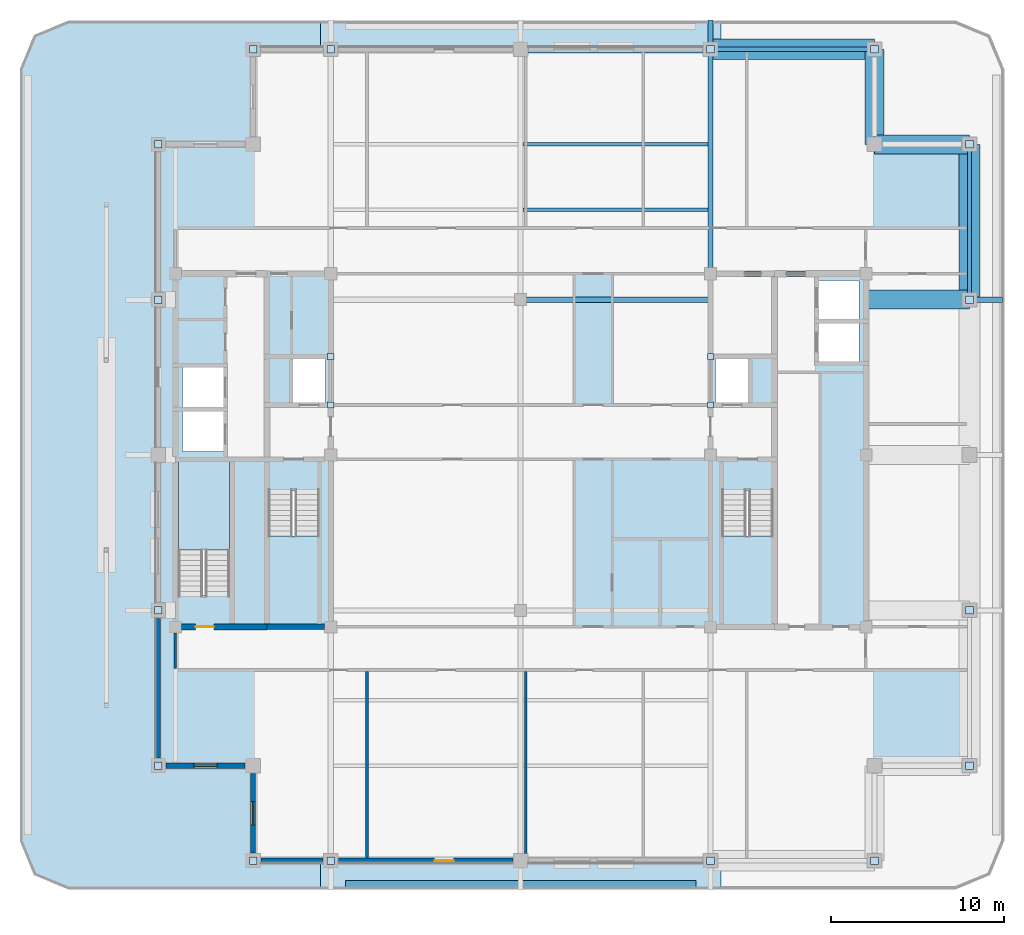
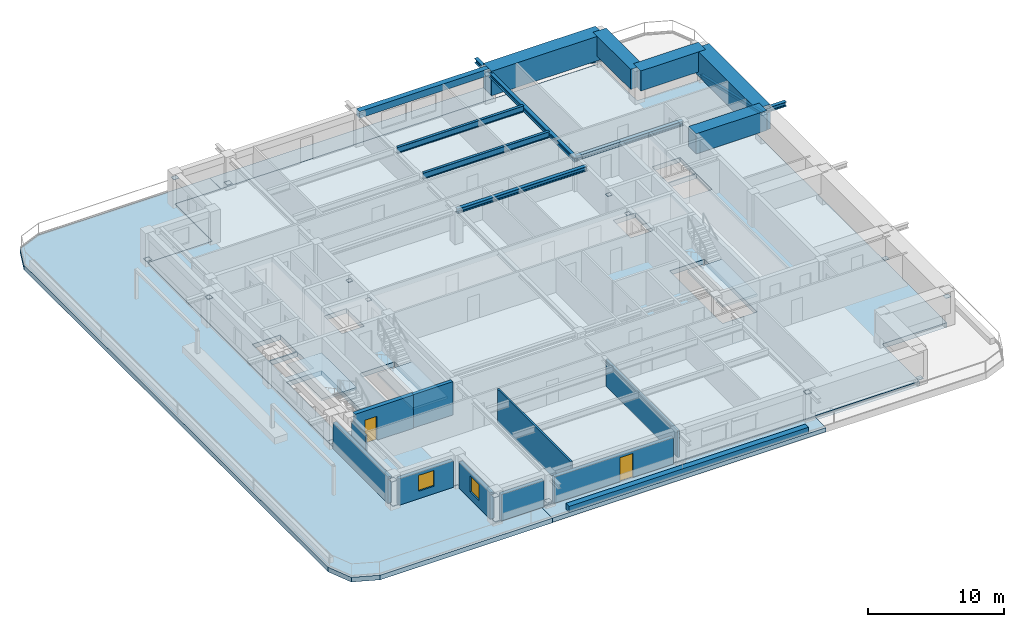
# One storey, part 5 of 14: 20 plates, 13 beams, 11 walls, 7 slabs, 2 doors, 2 members, 2 windows, 4 openings, 3 elements without a shape of their own.
"""IFC4 building model written with IfcOpenShell, lengths in metres."""

from ifc_helpers import new_model, si_unit, direction, frame, frame_2d, origin, origin_2d, place, context, subcontext, project, spatial, polyline, rectangle, hollow_rectangle, i_section, outline, extrude, material, layer, layer_set, material_profile, profile_set, type_object, element, fill, aggregate, save


model = new_model("IFC4")

# Units and contexts
model_context = context("Model", 3, precision=1e-05, world=origin(), true_north=direction((0.0, 1.0)))
body_context = subcontext(model_context, "Body", "Model", "MODEL_VIEW")
ifc_project = project(units=[si_unit("LENGTHUNIT", "METRE"), si_unit("AREAUNIT", "SQUARE_METRE"), si_unit("VOLUMEUNIT", "CUBIC_METRE"), si_unit("PLANEANGLEUNIT", "RADIAN"), si_unit("MASSUNIT", "GRAM", prefix="KILO")], contexts=[model_context])

# Site, building, storey
site_placement = place(None, origin())
site = spatial("IfcSite", under=ifc_project, at=site_placement, CompositionType="ELEMENT")
building_placement = place(site_placement, origin())
building = spatial("IfcBuilding", under=site, at=building_placement, Name="Zulmaris Gate Convention Tower", CompositionType="ELEMENT")
storey_placement = place(building_placement, frame((0.0, 0.0, 226.820068359375)))
storey = spatial("IfcBuildingStorey", under=building, at=storey_placement, Name="L59", CompositionType="ELEMENT", Elevation=226.820068359375)

# Beams
ifc_material_1 = material(Name="Steel S355", Category="steel")
ifc_material_profile_1 = material_profile(ifc_material_1, i_section(OverallWidth=0.300048828125, OverallDepth=0.39990234375, WebThickness=0.013427734375, FlangeThickness=0.02392578125, FilletRadius=0.027099609375, at=origin_2d()), Name="HEB 400")
ifc_profile_set_1 = profile_set([ifc_material_profile_1], Name="Steel S355")
beam_type_1 = type_object("IfcBeamType", Name="BM-HEB400", PredefinedType="BEAM", material=ifc_profile_set_1)
beam_1_placement = place(storey_placement, frame((11.0, 23.5, 2.60302734375), z_axis=(0.0, 1.0, 0.0), x_axis=(-1.0, 0.0, 0.0)))
element("IfcBeam", 1, at=beam_1_placement, inside=storey, type_object=beam_type_1, Name="L59 Beam TBRK-L59-N-+11", PredefinedType="BEAM", context=body_context, shape_type="SweptSolid", body=[
    extrude(i_section(OverallWidth=0.300048828125, OverallDepth=0.39990234375, WebThickness=0.013427734375, FlangeThickness=0.02392578125, FilletRadius=0.027099609375, at=origin_2d()), origin(), (0.0, 0.0, 1.0), 1.699951171875),
])
beam_2_placement = place(storey_placement, frame((26.0, 9.0, 2.639892578125), z_axis=(1.0, 0.0, 0.0), x_axis=(0.0, 1.0, 0.0)))
element("IfcBeam", 2, at=beam_2_placement, inside=storey, type_object=beam_type_1, Name="L59 Beam TBRK-L59-E-+9", PredefinedType="BEAM", context=body_context, shape_type="SweptSolid", body=[
    extrude(i_section(OverallWidth=0.300048828125, OverallDepth=0.39990234375, WebThickness=0.013427734375, FlangeThickness=0.02392578125, FilletRadius=0.027099609375, at=origin_2d()), origin(), (0.0, 0.0, 1.0), 1.89990234375),
])
beam_3_placement = place(storey_placement, frame((0.0, 9.0, 2.77783203125), z_axis=(1.0, 0.0, 0.0), x_axis=(0.0, 1.0, 0.0)))
element("IfcBeam", 3, at=beam_3_placement, inside=storey, type_object=beam_type_1, Name="L59 Beam BM-L59-G04", PredefinedType="BEAM", context=body_context, shape_type="SweptSolid", body=[
    extrude(i_section(OverallWidth=0.300048828125, OverallDepth=0.39990234375, WebThickness=0.013427734375, FlangeThickness=0.02392578125, FilletRadius=0.027099609375, at=origin_2d()), origin(), (0.0, 0.0, 1.0), 11.0),
])
beam_4_placement = place(storey_placement, frame((11.0, 10.5, 2.60302734375), z_axis=(0.0, 1.0, 0.0), x_axis=(-1.0, 0.0, 0.0)))
element("IfcBeam", 4, at=beam_4_placement, inside=storey, type_object=beam_type_1, Name="L59 Beam BM-L59-G11", PredefinedType="BEAM", context=body_context, shape_type="SweptSolid", body=[
    extrude(i_section(OverallWidth=0.300048828125, OverallDepth=0.39990234375, WebThickness=0.013427734375, FlangeThickness=0.02392578125, FilletRadius=0.027099609375, at=origin_2d()), origin(), (0.0, 0.0, 1.0), 13.0),
])
beam_5_placement = place(storey_placement, frame((11.0, 10.5, 2.77783203125), z_axis=(1.0, 0.0, 0.0), x_axis=(0.0, 1.0, 0.0)))
element("IfcBeam", 5, at=beam_5_placement, inside=storey, type_object=beam_type_1, Name="L59 Beam BM-L59-G25", PredefinedType="BEAM", context=body_context, shape_type="SweptSolid", body=[
    extrude(i_section(OverallWidth=0.300048828125, OverallDepth=0.39990234375, WebThickness=0.013427734375, FlangeThickness=0.02392578125, FilletRadius=0.027099609375, at=origin_2d()), origin(), (0.0, 0.0, 1.0), 9.0),
])
ifc_material_2 = material(Name="Precast concrete C50/60", Category="concrete")
ifc_material_profile_2 = material_profile(ifc_material_2, rectangle(XDim=0.449951171875, YDim=0.60009765625, at=origin_2d()), Name="RC SPANDREL 450x600")
ifc_profile_set_2 = profile_set([ifc_material_profile_2], Name="Precast concrete C50/60")
beam_type_2 = type_object("IfcBeamType", Name="BM-SP450x600", PredefinedType="SPANDREL", material=ifc_profile_set_2)
beam_6_placement = place(storey_placement, frame((11.0, 23.5, 2.679931640625), z_axis=(-1.0, 0.0, 0.0), x_axis=(0.0, -1.0, 0.0)))
element("IfcBeam", 6, at=beam_6_placement, inside=storey, type_object=beam_type_2, Name="L59 Spandrel SP-L59-14", PredefinedType="SPANDREL", context=body_context, shape_type="SweptSolid", body=[
    extrude(rectangle(XDim=0.449951171875, YDim=0.60009765625, at=origin_2d()), origin(), (0.0, 0.0, 1.0), 11.0),
])
ifc_material_3 = material(Name="Concrete C80/95", Category="concrete")
ifc_material_profile_3 = material_profile(ifc_material_3, rectangle(XDim=1.10009765625, YDim=1.800048828125, at=origin_2d()), Name="RC TRANSFER 1100x1800")
ifc_profile_set_3 = profile_set([ifc_material_profile_3], Name="Concrete C80/95")
beam_type_3 = type_object("IfcBeamType", Name="BM-XFER1800", PredefinedType="BEAM", material=ifc_profile_set_3)
for number, where, z_axis, x_axis, name in (
    (7, (26.0, 18.0, 2.079833984375), (-1.0, 0.0, 0.0), (0.0, -1.0, 0.0), "L59 Beam SP-L59-11"),
    (8, (20.5, 18.0, 2.079833984375), (0.0, 1.0, 0.0), (-1.0, 0.0, 0.0), "L59 Beam SP-L59-12"),
):
    element("IfcBeam", number, at=place(storey_placement, frame(where, z_axis=z_axis, x_axis=x_axis)), inside=storey, type_object=beam_type_3, Name=name, PredefinedType="BEAM", context=body_context, shape_type="SweptSolid", body=[
        extrude(rectangle(XDim=1.10009765625, YDim=1.800048828125, at=origin_2d()), origin(), (0.0, 0.0, 1.0), 5.5),
    ])
beam_7_placement = place(storey_placement, frame((20.0, 9.0, 2.079833984375), z_axis=(1.0, 0.0, 0.0), x_axis=(0.0, 1.0, 0.0)))
element("IfcBeam", 9, at=beam_7_placement, inside=storey, type_object=beam_type_3, Name="L59 Beam BM-L59-G21", PredefinedType="BEAM", context=body_context, shape_type="SweptSolid", body=[
    extrude(rectangle(XDim=1.10009765625, YDim=1.800048828125, at=origin_2d()), origin(), (0.0, 0.0, 1.0), 6.0),
])
ifc_material_profile_4 = material_profile(ifc_material_3, rectangle(XDim=1.199951171875, YDim=2.199951171875, at=origin_2d()), Name="RC TRANSFER 1200x2200")
ifc_profile_set_4 = profile_set([ifc_material_profile_4], Name="Concrete C80/95")
beam_type_4 = type_object("IfcBeamType", Name="BM-XFER2200", PredefinedType="BEAM", material=ifc_profile_set_4)
beam_8_placement = place(storey_placement, frame((26.0, 9.0, 1.8798828125), z_axis=(0.0, 1.0, 0.0), x_axis=(-1.0, 0.0, 0.0)))
element("IfcBeam", 10, at=beam_8_placement, inside=storey, type_object=beam_type_4, Name="L59 Beam SP-L59-10", PredefinedType="BEAM", context=body_context, shape_type="SweptSolid", body=[
    extrude(rectangle(XDim=1.199951171875, YDim=2.199951171875, at=origin_2d()), origin(), (0.0, 0.0, 1.0), 9.0),
])
beam_9_placement = place(storey_placement, frame((20.5, 23.5, 1.8798828125), z_axis=(-1.0, 0.0, 0.0), x_axis=(0.0, -1.0, 0.0)))
element("IfcBeam", 11, at=beam_9_placement, inside=storey, type_object=beam_type_4, Name="L59 Beam SP-L59-13", PredefinedType="BEAM", context=body_context, shape_type="SweptSolid", body=[
    extrude(rectangle(XDim=1.199951171875, YDim=2.199951171875, at=origin_2d()), origin(), (0.0, 0.0, 1.0), 9.5),
])

# Members
ifc_material_profile_5 = material_profile(ifc_material_1, hollow_rectangle(XDim=0.25, YDim=0.25, WallThickness=0.012451171875, at=origin_2d()), Name="SHS 250x250x12.5")
ifc_profile_set_5 = profile_set([ifc_material_profile_5], Name="Steel S355")
member_type = type_object("IfcMemberType", Name="BR-SHS250", PredefinedType="BRACE", material=ifc_profile_set_5)
member_1_placement = place(storey_placement, frame((26.0, 18.0, 0.300048828125), z_axis=(0.0, -0.974795611755, 0.223099787771), x_axis=(1.0, 0.0, 0.0)))
element("IfcMember", 12, at=member_1_placement, inside=storey, type_object=member_type, Name="L59 Perimeter Tube Diagonal NE-E", PredefinedType="BRACE", context=body_context, shape_type="SweptSolid", body=[
    extrude(hollow_rectangle(XDim=0.25, YDim=0.25, WallThickness=0.012451171875, at=origin_2d()), origin(), (0.0, 0.0, 1.0), 9.232666015625),
])
member_2_placement = place(storey_placement, frame((20.5, 23.5, 0.300048828125), z_axis=(-0.977291596632, 0.0, 0.211898879543), x_axis=(0.0, -1.0, 0.0)))
element("IfcMember", 13, at=member_2_placement, inside=storey, type_object=member_type, Name="L59 Perimeter Tube Diagonal NE-N", PredefinedType="BRACE", context=body_context, shape_type="SweptSolid", body=[
    extrude(hollow_rectangle(XDim=0.25, YDim=0.25, WallThickness=0.012451171875, at=origin_2d()), origin(), (0.0, 0.0, 1.0), 9.720703125),
])

# Beams
ifc_material_profile_6 = material_profile(ifc_material_1, i_section(OverallWidth=0.2099609375, OverallDepth=0.550048828125, WebThickness=0.010986328125, FlangeThickness=0.01708984375, FilletRadius=0.02392578125, at=origin_2d()), Name="IPE 550")
ifc_profile_set_6 = profile_set([ifc_material_profile_6], Name="Steel S355")
beam_type_5 = type_object("IfcBeamType", Name="JT-IPE550", PredefinedType="JOIST", material=ifc_profile_set_6)
for number, where, z_axis, x_axis, name in (
    (14, (0.14990234375, 14.199951171875, 2.702880859375), (1.0, 0.0, 0.0), (0.0, 1.0, 0.0), "L59 Joist JT-L59-CE-+14.2"),
    (15, (0.14990234375, 18.0, 2.702880859375), (1.0, 0.0, 0.0), (0.0, 1.0, 0.0), "L59 Joist JT-L59-CE-+18.0"),
):
    element("IfcBeam", number, at=place(storey_placement, frame(where, z_axis=z_axis, x_axis=x_axis)), inside=storey, type_object=beam_type_5, Name=name, PredefinedType="JOIST", context=body_context, shape_type="SweptSolid", body=[
        extrude(i_section(OverallWidth=0.2099609375, OverallDepth=0.550048828125, WebThickness=0.010986328125, FlangeThickness=0.01708984375, FilletRadius=0.02392578125, at=origin_2d()), origin(), (0.0, 0.0, 1.0), 10.7001953125),
    ])

# Plates
ifc_material_4 = material(Name="Steel S460", Category="steel")
ifc_layer_1 = layer(ifc_material_4, 0.02197265625, Name="Steel S460")
ifc_layer_set_1 = layer_set([ifc_layer_1], Name="Steel S460")
plate_type_1 = type_object("IfcPlateType", Name="NP-CAP-360", PredefinedType="USERDEFINED", material=ifc_layer_set_1)
for number, where, z_axis, x_axis, name in (
    (16, (-11.0, 2.89990234375, 2.339111328125), (0.0, 0.0, 1.0), (1.0, 0.0, 0.0), "L59 Steel Node Plate LN-L59-1-CAP0"),
    (17, (-11.0, 5.699951171875, 2.339111328125), (0.0, 0.0, 1.0), (1.0, 0.0, 0.0), "L59 Steel Node Plate LN-L59-1-CAP1"),
    (18, (11.0, 2.89990234375, 2.339111328125), (0.0, 0.0, 1.0), (1.0, 0.0, 0.0), "L59 Steel Node Plate LN-L59-2-CAP0"),
    (19, (11.0, 5.699951171875, 2.339111328125), (0.0, 0.0, 1.0), (1.0, 0.0, 0.0), "L59 Steel Node Plate LN-L59-2-CAP1"),
):
    element("IfcPlate", number, at=place(storey_placement, frame(where, z_axis=z_axis, x_axis=x_axis)), inside=storey, type_object=plate_type_1, Name=name, ObjectType="FLANGE PLATE", PredefinedType="USERDEFINED", context=body_context, shape_type="SweptSolid", body=[
        extrude(rectangle(XDim=0.360107421875, YDim=0.360107421875, at=origin_2d()), origin(), (0.0, 0.0, 1.0), 0.02197265625),
    ])
ifc_layer_2 = layer(ifc_material_4, 0.02490234375, Name="Steel S460")
ifc_layer_set_2 = layer_set([ifc_layer_2], Name="Steel S460")
plate_type_2 = type_object("IfcPlateType", Name="NP-CAP-440", PredefinedType="USERDEFINED", material=ifc_layer_set_2)
for number, where, z_axis, x_axis, name in (
    (20, (-21.0, -9.0, 0.28759765625), (0.0, 0.0, 1.0), (1.0, 0.0, 0.0), "L59 Steel Node Plate PBR-L59-SW-W-CAP"),
    (21, (-21.0, -18.0, 2.347412109375), (0.0, 0.0, 1.0), (1.0, 0.0, 0.0), "L59 Steel Node Plate PBR-L59-SW-W-CAPB"),
    (22, (-21.0, 18.0, 0.28759765625), (0.0, 0.0, 1.0), (1.0, 0.0, 0.0), "L59 Steel Node Plate PBR-L59-NW-W-CAP"),
    (23, (-21.0, 9.0, 2.347412109375), (0.0, 0.0, 1.0), (1.0, 0.0, 0.0), "L59 Steel Node Plate PBR-L59-NW-W-CAPB"),
    (24, (26.0, -9.0, 0.28759765625), (0.0, 0.0, 1.0), (1.0, 0.0, 0.0), "L59 Steel Node Plate PBR-L59-SE-E-CAP"),
    (25, (26.0, -18.0, 2.347412109375), (0.0, 0.0, 1.0), (1.0, 0.0, 0.0), "L59 Steel Node Plate PBR-L59-SE-E-CAPB"),
    (26, (26.0, 18.0, 0.28759765625), (0.0, 0.0, 1.0), (1.0, 0.0, 0.0), "L59 Steel Node Plate PBR-L59-NE-E-CAP"),
    (27, (26.0, 9.0, 2.347412109375), (0.0, 0.0, 1.0), (1.0, 0.0, 0.0), "L59 Steel Node Plate PBR-L59-NE-E-CAPB"),
    (28, (-11.0, -23.5, 0.28759765625), (0.0, 0.0, 1.0), (1.0, 0.0, 0.0), "L59 Steel Node Plate PBR-L59-SW-S-CAP"),
    (29, (-15.5, -23.5, 2.347412109375), (0.0, 0.0, 1.0), (1.0, 0.0, 0.0), "L59 Steel Node Plate PBR-L59-SW-S-CAPB"),
    (30, (20.5, -23.5, 0.28759765625), (0.0, 0.0, 1.0), (1.0, 0.0, 0.0), "L59 Steel Node Plate PBR-L59-SE-S-CAP"),
    (31, (11.0, -23.5, 2.347412109375), (0.0, 0.0, 1.0), (1.0, 0.0, 0.0), "L59 Steel Node Plate PBR-L59-SE-S-CAPB"),
    (32, (-11.0, 23.5, 0.28759765625), (0.0, 0.0, 1.0), (1.0, 0.0, 0.0), "L59 Steel Node Plate PBR-L59-NW-N-CAP"),
    (33, (-15.5, 23.5, 2.347412109375), (0.0, 0.0, 1.0), (1.0, 0.0, 0.0), "L59 Steel Node Plate PBR-L59-NW-N-CAPB"),
    (34, (20.5, 23.5, 0.28759765625), (0.0, 0.0, 1.0), (1.0, 0.0, 0.0), "L59 Steel Node Plate PBR-L59-NE-N-CAP"),
    (35, (11.0, 23.5, 2.347412109375), (0.0, 0.0, 1.0), (1.0, 0.0, 0.0), "L59 Steel Node Plate PBR-L59-NE-N-CAPB"),
):
    element("IfcPlate", number, at=place(storey_placement, frame(where, z_axis=z_axis, x_axis=x_axis)), inside=storey, type_object=plate_type_2, Name=name, ObjectType="FLANGE PLATE", PredefinedType="USERDEFINED", context=body_context, shape_type="SweptSolid", body=[
        extrude(rectangle(XDim=0.43994140625, YDim=0.43994140625, at=origin_2d()), origin(), (0.0, 0.0, 1.0), 0.02490234375),
    ])

# Slab
ifc_material_5 = material(Name="Concrete C60/75", Category="concrete")
ifc_layer_3 = layer(ifc_material_5, 0.425048828125, Name="Concrete C60/75")
ifc_layer_set_3 = layer_set([ifc_layer_3], Name="Concrete C60/75")
slab_type_1 = type_object("IfcSlabType", Name="SL-FLR-425", PredefinedType="FLOOR", material=ifc_layer_set_3)
slab_1_placement = place(storey_placement, frame((0.0, 0.0, -0.425048828125)))
element("IfcSlab", 36, at=slab_1_placement, inside=storey, type_object=slab_type_1, Name="L59 Shifted Notched-Square Structural Floor Slab", PredefinedType="FLOOR", context=body_context, shape_type="SweptSolid", body=[
    extrude(outline(polyline([(-15.5, -23.5), (20.5, -23.5), (20.5, -18.0), (26.0, -18.0), (26.0, 18.0), (20.5, 18.0), (20.5, 23.5), (-15.5, 23.5), (-15.5, 18.0), (-21.0, 18.0), (-21.0, -18.0), (-15.5, -18.0), (-15.5, -23.5)]), holes=[polyline([(-14.6201171875, -2.080078125), (-14.6201171875, -9.85009765625), (-11.659912109375, -9.85009765625), (-11.659912109375, -2.080078125), (-14.6201171875, -2.080078125)]), polyline([(11.659912109375, -2.080078125), (11.659912109375, -9.85009765625), (14.6201171875, -9.85009765625), (14.6201171875, -2.080078125), (11.659912109375, -2.080078125)]), polyline([(-16.860107421875, -8.1201171875), (-16.860107421875, -0.35009765625), (-19.820068359375, -0.35009765625), (-19.820068359375, -8.1201171875), (-16.860107421875, -8.1201171875)]), polyline([(-13.199951171875, 3.0), (-11.300048828125, 3.0), (-11.300048828125, 5.60009765625), (-13.199951171875, 5.60009765625), (-13.199951171875, 3.0)]), polyline([(11.300048828125, 3.0), (13.199951171875, 3.0), (13.199951171875, 5.60009765625), (11.300048828125, 5.60009765625), (11.300048828125, 3.0)]), polyline([(17.199951171875, 5.39990234375), (19.60009765625, 5.39990234375), (19.60009765625, 7.699951171875), (17.199951171875, 7.699951171875), (17.199951171875, 5.39990234375)]), polyline([(17.199951171875, 7.800048828125), (19.60009765625, 7.800048828125), (19.60009765625, 10.10009765625), (17.199951171875, 10.10009765625), (17.199951171875, 7.800048828125)]), polyline([(-19.60009765625, 0.199951171875), (-17.199951171875, 0.199951171875), (-17.199951171875, 2.60009765625), (-19.60009765625, 2.60009765625), (-19.60009765625, 0.199951171875)]), polyline([(-19.60009765625, 2.699951171875), (-17.199951171875, 2.699951171875), (-17.199951171875, 5.10009765625), (-19.60009765625, 5.10009765625), (-19.60009765625, 2.699951171875)])]), origin(), (0.0, 0.0, 1.0), 0.425048828125),
])

# Stair, slab
ifc_material_6 = material(Name="Concrete C45/55", Category="concrete")
stair_type = type_object("IfcStairType", Name="ST-CORE-DOGLEG", PredefinedType="HALF_TURN_STAIR", material=ifc_material_6)
stair_1_placement = place(storey_placement, origin())
stair_1 = element("IfcStair", 37, at=stair_1_placement, inside=storey, type_object=stair_type, Name="L59 Core Exit Stair ST-1", PredefinedType="HALF_TURN_STAIR")
ifc_layer_4 = layer(ifc_material_6, 0.199951171875, Name="Concrete C45/55")
ifc_layer_set_4 = layer_set([ifc_layer_4], Name="Concrete C45/55")
slab_type_2 = type_object("IfcSlabType", Name="SL-LND-200", PredefinedType="LANDING", material=ifc_layer_set_4)
slab_2_placement = place(storey_placement, frame((0.0, 0.0, 1.4150390625)))
slab_2 = element("IfcSlab", 38, at=slab_2_placement, type_object=slab_type_2, Name="ST-1 landing 1", PredefinedType="LANDING", context=body_context, shape_type="SweptSolid", body=[
    extrude(outline(polyline([(-14.6201171875, -4.699951171875), (-14.6201171875, -9.85009765625), (-11.659912109375, -9.85009765625), (-11.659912109375, -4.699951171875), (-14.6201171875, -4.699951171875)])), origin(), (0.0, 0.0, 1.0), 0.199951171875),
])
aggregate(stair_1, [slab_2])

stair_2_placement = place(storey_placement, origin())
stair_2 = element("IfcStair", 39, at=stair_2_placement, inside=storey, type_object=stair_type, Name="L59 Core Exit Stair ST-2", PredefinedType="HALF_TURN_STAIR")
slab_3_placement = place(storey_placement, frame((0.0, 0.0, 1.4150390625)))
slab_3 = element("IfcSlab", 40, at=slab_3_placement, type_object=slab_type_2, Name="ST-2 landing 1", PredefinedType="LANDING", context=body_context, shape_type="SweptSolid", body=[
    extrude(outline(polyline([(11.659912109375, -4.699951171875), (11.659912109375, -9.85009765625), (14.6201171875, -9.85009765625), (14.6201171875, -4.699951171875), (11.659912109375, -4.699951171875)])), origin(), (0.0, 0.0, 1.0), 0.199951171875),
])
aggregate(stair_2, [slab_3])

stair_3_placement = place(storey_placement, origin())
stair_3 = element("IfcStair", 41, at=stair_3_placement, inside=storey, type_object=stair_type, Name="L59 Core Exit Stair ST-3", PredefinedType="HALF_TURN_STAIR")
slab_4_placement = place(storey_placement, frame((0.0, 0.0, 1.4150390625)))
slab_4 = element("IfcSlab", 42, at=slab_4_placement, type_object=slab_type_2, Name="ST-3 landing 1", PredefinedType="LANDING", context=body_context, shape_type="SweptSolid", body=[
    extrude(outline(polyline([(-16.860107421875, -5.5), (-16.860107421875, -0.35009765625), (-19.820068359375, -0.35009765625), (-19.820068359375, -5.5), (-16.860107421875, -5.5)])), origin(), (0.0, 0.0, 1.0), 0.199951171875),
])
aggregate(stair_3, [slab_4])

# Slabs
ifc_material_7 = material(Name="Concrete C50/60", Category="concrete")
ifc_layer_5 = layer(ifc_material_7, 0.300048828125, Name="Concrete C50/60")
ifc_layer_set_5 = layer_set([ifc_layer_5], Name="Concrete C50/60")
slab_type_3 = type_object("IfcSlabType", Name="SL-SG-300", PredefinedType="FLOOR", material=ifc_layer_set_5)
slab_5_placement = place(storey_placement, frame((0.0, 0.0, -0.425048828125)))
element("IfcSlab", 43, at=slab_5_placement, inside=storey, type_object=slab_type_3, Name="L59 South Tree-Balcony Planter Slab", PredefinedType="FLOOR", context=body_context, shape_type="SweptSolid", body=[
    extrude(outline(polyline([(-11.597900390625, -25.14990234375), (-11.597900390625, -23.5), (11.597900390625, -23.5), (11.597900390625, -25.14990234375), (-11.597900390625, -25.14990234375)])), origin(), (0.0, 0.0, 1.0), 0.385009765625),
])
slab_6_placement = place(storey_placement, frame((0.0, 0.0, -0.425048828125)))
element("IfcSlab", 44, at=slab_6_placement, inside=storey, type_object=slab_type_3, Name="L59 North Tree-Balcony Planter Slab", PredefinedType="FLOOR", context=body_context, shape_type="SweptSolid", body=[
    extrude(outline(polyline([(11.597900390625, 25.14990234375), (11.597900390625, 23.5), (-11.597900390625, 23.5), (-11.597900390625, 25.14990234375), (11.597900390625, 25.14990234375)])), origin(), (0.0, 0.0, 1.0), 0.385009765625),
])
ifc_layer_6 = layer(ifc_material_7, 0.419921875, Name="Concrete C50/60")
ifc_layer_set_6 = layer_set([ifc_layer_6], Name="Concrete C50/60")
slab_type_4 = type_object("IfcSlabType", Name="SL-SG-420", PredefinedType="FLOOR", material=ifc_layer_set_6)
slab_7_placement = place(storey_placement, frame((0.0, 0.0, -0.4599609375)))
element("IfcSlab", 45, at=slab_7_placement, inside=storey, type_object=slab_type_4, Name="L59 West Block-End Planted Roof Terrace Slab", PredefinedType="FLOOR", context=body_context, shape_type="SweptSolid", body=[
    extrude(outline(polyline([(-29.0, 22.35009765625), (-28.179931640625, 24.329833984375), (-26.199951171875, 25.14990234375), (-11.60205078125, 25.14990234375), (-11.60205078125, 23.5), (-15.5, 23.5), (-15.5, 18.0), (-21.0, 18.0), (-21.0, -18.0), (-15.5, -18.0), (-15.5, -23.5), (-11.60205078125, -23.5), (-11.60205078125, -25.14990234375), (-26.199951171875, -25.14990234375), (-28.179931640625, -24.329833984375), (-29.0, -22.35009765625), (-29.0, 22.35009765625)])), origin(), (0.0, 0.0, 1.0), 0.419921875),
])

# Wall
ifc_layer_7 = layer(ifc_material_7, 0.300048828125, Name="Concrete C50/60")
ifc_layer_set_7 = layer_set([ifc_layer_7], Name="Concrete C50/60")
wall_type_1 = type_object("IfcWallType", Name="CORE-300", PredefinedType="SHEAR", material=ifc_layer_set_7)
wall_1_placement = place(storey_placement, frame((-14.699951171875, -9.949951171875, 0.0), z_axis=(0.0, 0.0, 1.0), x_axis=(1.0, 0.0, 0.0)))
element("IfcWall", 46, at=wall_1_placement, inside=storey, type_object=wall_type_1, Name="WL-L59-002", PredefinedType="SHEAR", context=body_context, shape_type="SweptSolid", body=[
    extrude(rectangle(XDim=3.345947265625, YDim=0.300048828125, at=frame_2d((1.6728515625, 0.0))), origin(), (0.0, 0.0, 1.0), 2.97998046875),
])

# Wall, opening, door
ifc_material_8 = material(Name="Concrete C55/67", Category="concrete")
ifc_layer_8 = layer(ifc_material_8, 0.35009765625, Name="Concrete C55/67")
ifc_layer_set_8 = layer_set([ifc_layer_8], Name="Concrete C55/67")
wall_type_2 = type_object("IfcWallType", Name="CORE-350", PredefinedType="SHEAR", material=ifc_layer_set_8)
wall_2_placement = place(storey_placement, frame((-19.64599609375, -9.949951171875, 0.0), z_axis=(0.0, 0.0, 1.0), x_axis=(1.0, 0.0, 0.0)))
wall_2 = element("IfcWall", 47, at=wall_2_placement, inside=storey, type_object=wall_type_2, Name="WL-L59-001", PredefinedType="SHEAR", context=body_context, shape_type="SweptSolid", body=[
    extrude(rectangle(XDim=4.946044921875, YDim=0.35009765625, at=frame_2d((2.47314453125, 0.0))), origin(), (0.0, 0.0, 1.0), 2.97998046875),
])
opening_1_placement = place(wall_2_placement, frame((0.821044921875, 0.0, 0.0)))
opening_1 = element("IfcOpeningElement", 48, at=opening_1_placement, cuts=wall_2, Name="Opening D-09", PredefinedType="OPENING", context=body_context, shape_type="SweptSolid", body=[
    extrude(rectangle(XDim=1.050048828125, YDim=2.14990234375, at=frame_2d((0.52490234375, 1.074951171875))), frame((0.0, 0.18505859375, 0.0), z_axis=(0.0, -1.0, 0.0), x_axis=(1.0, 0.0, 0.0)), (0.0, 0.0, 1.0), 0.3701171875),
])
ifc_material_9 = material(Name="Fire-Rated Steel", Category="steel")
door_type_1 = type_object("IfcDoorType", Name="DR-1050-FD", OperationType="NOTDEFINED", PredefinedType="DOOR", material=ifc_material_9)
door_1_placement = place(opening_1_placement, origin())
door_1 = element("IfcDoor", 49, at=door_1_placement, inside=storey, type_object=door_type_1, Name="L59 Exit Stair ST-3 Door 10", OperationType="SINGLE_SWING_RIGHT", OverallHeight=2.14990234375, OverallWidth=1.050048828125, PredefinedType="DOOR", context=body_context, shape_type="SweptSolid", body=[
    extrude(rectangle(XDim=1.050048828125, YDim=2.14990234375, at=frame_2d((0.52490234375, 1.074951171875))), frame((0.0, 0.02490234375, 0.0), z_axis=(0.0, -1.0, 0.0), x_axis=(1.0, 0.0, 0.0)), (0.0, 0.0, 1.0), 0.050048828125),
])
fill(opening_1, door_1)

# Walls
ifc_material_10 = material(Name="Gypsum Metal Stud Partition")
ifc_layer_9 = layer(ifc_material_10, 0.14990234375, Name="Gypsum Metal Stud Partition")
ifc_layer_set_9 = layer_set([ifc_layer_9], Name="Gypsum Metal Stud Partition")
wall_type_3 = type_object("IfcWallType", Name="PART-150", PredefinedType="PARTITIONING", material=ifc_layer_set_9)
wall_3_placement = place(storey_placement, frame((-20.0, -12.3720703125, 0.0), z_axis=(0.0, 0.0, 1.0), x_axis=(0.0, 1.0, 0.0)))
element("IfcWall", 50, at=wall_3_placement, inside=storey, type_object=wall_type_3, Name="WL-L59-063", PredefinedType="PARTITIONING", context=body_context, shape_type="SweptSolid", body=[
    extrude(rectangle(XDim=2.066162109375, YDim=0.14990234375, at=frame_2d((1.033203125, 0.0))), origin(), (0.0, 0.0, 1.0), 2.56982421875),
])
wall_4_placement = place(storey_placement, frame((-8.89990234375, -23.3349609375, 0.0), z_axis=(0.0, 0.0, 1.0), x_axis=(0.0, 1.0, 0.0)))
element("IfcWall", 51, at=wall_4_placement, inside=storey, type_object=wall_type_3, Name="WL-L59-068", PredefinedType="PARTITIONING", context=body_context, shape_type="SweptSolid", body=[
    extrude(rectangle(XDim=10.806884765625, YDim=0.14990234375, at=frame_2d((5.4033203125, 0.0))), origin(), (0.0, 0.0, 1.0), 2.97998046875),
])
wall_5_placement = place(storey_placement, frame((0.300048828125, -23.069091796875, 0.0), z_axis=(0.0, 0.0, 1.0), x_axis=(0.0, 1.0, 0.0)))
element("IfcWall", 52, at=wall_5_placement, inside=storey, type_object=wall_type_3, Name="WL-L59-070", PredefinedType="PARTITIONING", context=body_context, shape_type="SweptSolid", body=[
    extrude(rectangle(XDim=10.541015625, YDim=0.14990234375, at=frame_2d((5.2705078125, 0.0))), origin(), (0.0, 0.0, 1.0), 2.39501953125),
])
ifc_material_11 = material(Name="Botanical Green Glazed Precast Concrete C40/50", Category="concrete")
ifc_layer_10 = layer(ifc_material_11, 0.419921875, Name="Botanical Green Glazed Precast Concrete C40/50")
ifc_layer_set_10 = layer_set([ifc_layer_10], Name="Botanical Green Glazed Precast Concrete C40/50")
wall_type_4 = type_object("IfcWallType", Name="PLANTER-CURB-200", PredefinedType="PARAPET", material=ifc_layer_set_10)
wall_6_placement = place(storey_placement, frame((-10.14990234375, -24.8798828125, -0.0400390625), z_axis=(0.0, 0.0, 1.0), x_axis=(1.0, 0.0, 0.0)))
element("IfcWall", 53, at=wall_6_placement, inside=storey, type_object=wall_type_4, Name="L59 Full-Length Balcony Tree Planter Trough", PredefinedType="PARAPET", context=body_context, shape_type="SweptSolid", body=[
    extrude(rectangle(XDim=20.2998046875, YDim=0.47998046875, at=frame_2d((10.14990234375, 0.0))), origin(), (0.0, 0.0, 1.0), 0.52001953125),
])

# Wall, opening, window
ifc_material_12 = material(Name="Precast concrete C40/50", Category="concrete")
ifc_layer_11 = layer(ifc_material_12, 0.300048828125, Name="Precast concrete C40/50")
ifc_layer_set_11 = layer_set([ifc_layer_11], Name="Precast concrete C40/50")
wall_type_5 = type_object("IfcWallType", Name="PRECAST-PIER-300", PredefinedType="STANDARD", material=ifc_layer_set_11)
wall_7_placement = place(storey_placement, frame((-20.544921875, -18.0, 0.0), z_axis=(0.0, 0.0, 1.0), x_axis=(1.0, 0.0, 0.0)))
wall_7 = element("IfcWall", 54, at=wall_7_placement, inside=storey, type_object=wall_type_5, Name="EW-L59-NOTCH-SW1_0", PredefinedType="STANDARD", context=body_context, shape_type="SweptSolid", body=[
    extrude(rectangle(XDim=4.58984375, YDim=0.300048828125, at=frame_2d((2.294921875, 0.0))), origin(), (0.0, 0.0, 1.0), 2.371826171875),
])
opening_2_placement = place(wall_7_placement, frame((1.6201171875, 0.0, 0.679931640625)))
opening_2 = element("IfcOpeningElement", 55, at=opening_2_placement, cuts=wall_7, Name="Opening W-10", PredefinedType="OPENING", context=body_context, shape_type="SweptSolid", body=[
    extrude(rectangle(XDim=1.35009765625, YDim=1.419921875, at=frame_2d((0.675048828125, 0.7099609375))), frame((0.0, 0.16015625, 0.0), z_axis=(0.0, -1.0, 0.0), x_axis=(1.0, 0.0, 0.0)), (0.0, 0.0, 1.0), 0.320068359375),
])
ifc_material_13 = material(Name="Low-E Laminated Double Glazing in Aluminium Frame", Category="aluminium")
window_type = type_object("IfcWindowType", Name="WIN-1350x2000", PartitioningType="SINGLE_PANEL", PredefinedType="WINDOW", material=ifc_material_13)
window_1_placement = place(opening_2_placement, origin())
window_1 = element("IfcWindow", 56, at=window_1_placement, inside=storey, type_object=window_type, Name="WN-EW-L59-NOTCH-SW1_0", OverallHeight=1.419921875, OverallWidth=1.35009765625, PartitioningType="SINGLE_PANEL", PredefinedType="WINDOW", context=body_context, shape_type="SweptSolid", body=[
    extrude(rectangle(XDim=1.35009765625, YDim=1.419921875, at=frame_2d((0.675048828125, 0.7099609375))), frame((0.0, 0.030029296875, 0.0), z_axis=(0.0, -1.0, 0.0), x_axis=(1.0, 0.0, 0.0)), (0.0, 0.0, 1.0), 0.06005859375),
])
fill(opening_2, window_1)

wall_8_placement = place(storey_placement, frame((-15.5, -18.455078125, 0.0), z_axis=(0.0, 0.0, 1.0), x_axis=(0.0, -1.0, 0.0)))
wall_8 = element("IfcWall", 57, at=wall_8_placement, inside=storey, type_object=wall_type_5, Name="EW-L59-NOTCH-SW2_0", PredefinedType="STANDARD", context=body_context, shape_type="SweptSolid", body=[
    extrude(rectangle(XDim=4.58984375, YDim=0.300048828125, at=frame_2d((2.294921875, 0.0))), origin(), (0.0, 0.0, 1.0), 2.371826171875),
])
opening_3_placement = place(wall_8_placement, frame((1.6201171875, 0.0, 0.679931640625)))
opening_3 = element("IfcOpeningElement", 58, at=opening_3_placement, cuts=wall_8, Name="Opening W-10", PredefinedType="OPENING", context=body_context, shape_type="SweptSolid", body=[
    extrude(rectangle(XDim=1.35009765625, YDim=1.419921875, at=frame_2d((0.675048828125, 0.7099609375))), frame((0.0, 0.16015625, 0.0), z_axis=(0.0, -1.0, 0.0), x_axis=(1.0, 0.0, 0.0)), (0.0, 0.0, 1.0), 0.320068359375),
])
window_2_placement = place(opening_3_placement, origin())
window_2 = element("IfcWindow", 59, at=window_2_placement, inside=storey, type_object=window_type, Name="WN-EW-L59-NOTCH-SW2_0", OverallHeight=1.419921875, OverallWidth=1.35009765625, PartitioningType="SINGLE_PANEL", PredefinedType="WINDOW", context=body_context, shape_type="SweptSolid", body=[
    extrude(rectangle(XDim=1.35009765625, YDim=1.419921875, at=frame_2d((0.675048828125, 0.7099609375))), frame((0.0, 0.030029296875, 0.0), z_axis=(0.0, -1.0, 0.0), x_axis=(1.0, 0.0, 0.0)), (0.0, 0.0, 1.0), 0.06005859375),
])
fill(opening_3, window_2)

# Wall
wall_9_placement = place(storey_placement, frame((-15.044921875, -23.5, 0.0), z_axis=(0.0, 0.0, 1.0), x_axis=(1.0, 0.0, 0.0)))
element("IfcWall", 60, at=wall_9_placement, inside=storey, type_object=wall_type_5, Name="EW-L59-S-0_0", PredefinedType="STANDARD", context=body_context, shape_type="SweptSolid", body=[
    extrude(rectangle(XDim=3.58984375, YDim=0.300048828125, at=frame_2d((1.794921875, 0.0))), origin(), (0.0, 0.0, 1.0), 2.371826171875),
])

# Wall, opening, door
wall_10_placement = place(storey_placement, frame((-10.544921875, -23.5, 0.0), z_axis=(0.0, 0.0, 1.0), x_axis=(1.0, 0.0, 0.0)))
wall_10 = element("IfcWall", 61, at=wall_10_placement, inside=storey, type_object=wall_type_5, Name="EW-L59-S-1_0", PredefinedType="STANDARD", context=body_context, shape_type="SweptSolid", body=[
    extrude(rectangle(XDim=10.08984375, YDim=0.300048828125, at=frame_2d((5.044921875, 0.0))), origin(), (0.0, 0.0, 1.0), 2.371826171875),
])
opening_4_placement = place(wall_10_placement, frame((5.569091796875, 0.0, 0.0)))
opening_4 = element("IfcOpeningElement", 62, at=opening_4_placement, cuts=wall_10, Name="Opening D-04", PredefinedType="OPENING", context=body_context, shape_type="SweptSolid", body=[
    extrude(rectangle(XDim=1.10009765625, YDim=2.14990234375, at=frame_2d((0.550048828125, 1.074951171875))), frame((0.0, 0.16015625, 0.0), z_axis=(0.0, -1.0, 0.0), x_axis=(1.0, 0.0, 0.0)), (0.0, 0.0, 1.0), 0.320068359375),
])
ifc_material_14 = material(Name="Anodised Aluminium and Laminated Glass", Category="aluminium")
door_type_2 = type_object("IfcDoorType", Name="ED-1100", OperationType="SINGLE_SWING_RIGHT", PredefinedType="DOOR", material=ifc_material_14)
door_2_placement = place(opening_4_placement, origin())
door_2 = element("IfcDoor", 63, at=door_2_placement, inside=storey, type_object=door_type_2, Name="L59 S Planted Terrace Door", OperationType="SINGLE_SWING_RIGHT", OverallHeight=2.14990234375, OverallWidth=1.10009765625, PredefinedType="DOOR", context=body_context, shape_type="SweptSolid", body=[
    extrude(rectangle(XDim=1.10009765625, YDim=2.14990234375, at=frame_2d((0.550048828125, 1.074951171875))), frame((0.0, 0.02490234375, 0.0), z_axis=(0.0, -1.0, 0.0), x_axis=(1.0, 0.0, 0.0)), (0.0, 0.0, 1.0), 0.050048828125),
])
fill(opening_4, door_2)

# Wall
wall_11_placement = place(storey_placement, frame((-21.0, -9.455078125, 0.0), z_axis=(0.0, 0.0, 1.0), x_axis=(0.0, -1.0, 0.0)))
element("IfcWall", 64, at=wall_11_placement, inside=storey, type_object=wall_type_5, Name="EW-L59-W-0_0", PredefinedType="STANDARD", context=body_context, shape_type="SweptSolid", body=[
    extrude(rectangle(XDim=8.08984375, YDim=0.300048828125, at=frame_2d((4.044921875, 0.0))), origin(), (0.0, 0.0, 1.0), 2.371826171875),
])

save(model, "model.ifc")
